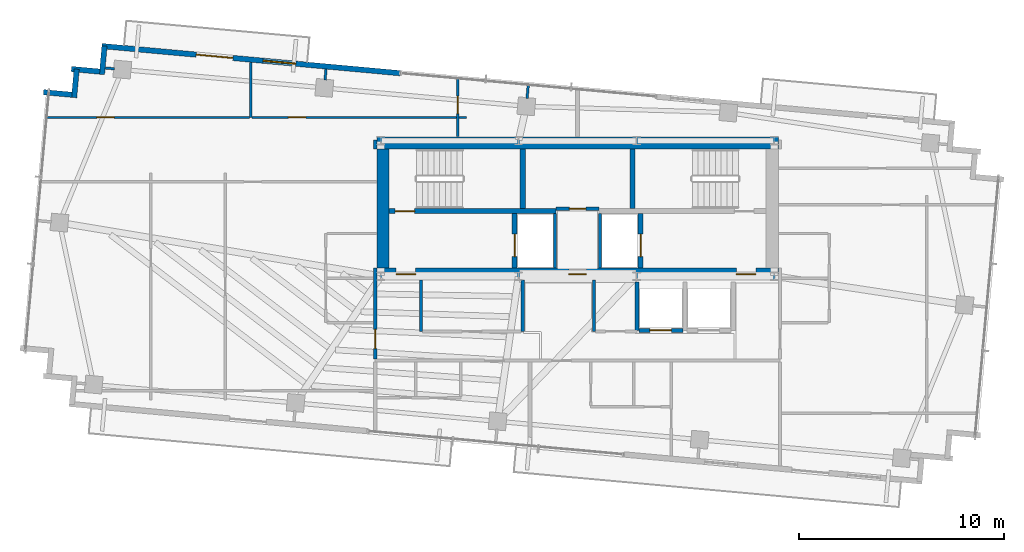
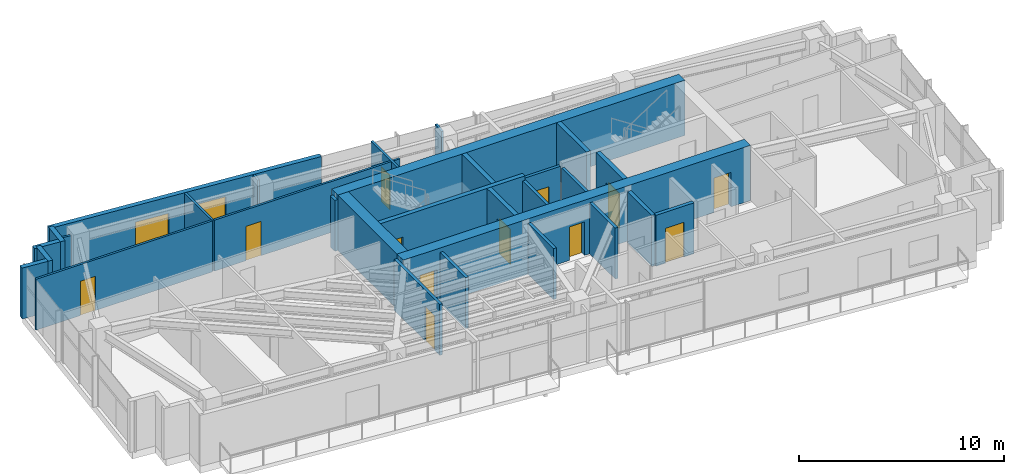
# One storey, part 17 of 22: 31 walls, 13 doors, 1 window, 14 openings.
"""IFC4 building model written with IfcOpenShell, lengths in metres."""

from ifc_helpers import new_model, si_unit, direction, frame, frame_2d, origin, place, context, subcontext, project, spatial, rectangle, extrude, source, transform, mapped, material, layer, layer_set, type_object, type_shapes, element, fill, save


model = new_model("IFC4")

# Units and contexts
model_context = context("Model", 3, precision=1e-05, world=origin(), true_north=direction((0.0, 1.0)))
body_context = subcontext(model_context, "Body", "Model", "MODEL_VIEW")
ifc_project = project(units=[si_unit("LENGTHUNIT", "METRE"), si_unit("AREAUNIT", "SQUARE_METRE"), si_unit("VOLUMEUNIT", "CUBIC_METRE"), si_unit("PLANEANGLEUNIT", "RADIAN"), si_unit("MASSUNIT", "GRAM", prefix="KILO")], contexts=[model_context])

# Site, building, storey
site_placement = place(None, origin())
site = spatial("IfcSite", under=ifc_project, at=site_placement, CompositionType="ELEMENT")
building_placement = place(site_placement, origin())
building = spatial("IfcBuilding", under=site, at=building_placement, Name="Astriad Promenade Condominiums", CompositionType="ELEMENT")
storey_placement = place(building_placement, frame((0.0, 0.0, 216.60009765625)))
storey = spatial("IfcBuildingStorey", under=building, at=storey_placement, Name="L62", CompositionType="ELEMENT", Elevation=216.60009765625)

# Wall, openings, doors
ifc_material_1 = material(Name="Concrete C50/60", Category="concrete")
ifc_layer_1 = layer(ifc_material_1, 0.60009765625)
ifc_layer_set_1 = layer_set([ifc_layer_1], Name="Concrete C50/60")
wall_type_1 = type_object("IfcWallType", Name="CW-SHEAR-600", PredefinedType="SHEAR", material=ifc_layer_set_1)
wall_1_placement = place(storey_placement, frame((26.199951171875, 17.5, 0.0), z_axis=(0.0, 0.0, 1.0), x_axis=(1.0, 0.0, 0.0)))
wall_1 = element("IfcWall", 1, at=wall_1_placement, inside=storey, type_object=wall_type_1, Name="CW-CORE-S-L62", PredefinedType="SHEAR", context=body_context, shape_type="SweptSolid", body=[
    extrude(rectangle(XDim=19.60009765625, YDim=0.60009765625, at=frame_2d((9.800048828125, 0.0))), origin(), (0.0, 0.0, 1.0), 3.2998046875),
])
opening_1_placement = place(wall_1_placement, frame((0.949951171875, 0.0, 0.0)))
opening_1 = element("IfcOpeningElement", 2, at=opening_1_placement, cuts=wall_1, Name="Opening FD90-ST-095", PredefinedType="OPENING", context=body_context, shape_type="SweptSolid", body=[
    extrude(rectangle(XDim=0.949951171875, YDim=2.06005859375, at=frame_2d((0.47509765625, 1.030029296875))), frame((0.0, 0.31005859375, 0.0), z_axis=(0.0, -1.0, 0.0), x_axis=(1.0, 0.0, 0.0)), (0.0, 0.0, 1.0), 0.6201171875),
])
opening_2_placement = place(wall_1_placement, frame((9.3798828125, 0.0, 0.0)))
opening_2 = element("IfcOpeningElement", 3, at=opening_2_placement, cuts=wall_1, Name="Opening FD60-ULOW-085", PredefinedType="OPENING", context=body_context, shape_type="SweptSolid", body=[
    extrude(rectangle(XDim=0.85009765625, YDim=2.0, at=frame_2d((0.425048828125, 1.0))), frame((0.0, 0.31005859375, 0.0), z_axis=(0.0, -1.0, 0.0), x_axis=(1.0, 0.0, 0.0)), (0.0, 0.0, 1.0), 0.6201171875),
])
opening_3_placement = place(wall_1_placement, frame((17.550048828125, 0.0, 0.0)))
opening_3 = element("IfcOpeningElement", 4, at=opening_3_placement, cuts=wall_1, Name="Opening FD90-ST-095", PredefinedType="OPENING", context=body_context, shape_type="SweptSolid", body=[
    extrude(rectangle(XDim=0.949951171875, YDim=2.06005859375, at=frame_2d((0.47509765625, 1.030029296875))), frame((0.0, 0.31005859375, 0.0), z_axis=(0.0, -1.0, 0.0), x_axis=(1.0, 0.0, 0.0)), (0.0, 0.0, 1.0), 0.6201171875),
])
ifc_material_2 = material(Name="Fire-Rated Hollow Metal Stair Door")
door_type_1 = type_object("IfcDoorType", Name="FD90-ST-095", OperationType="NOTDEFINED", PredefinedType="DOOR", material=ifc_material_2)
shared_shape_1 = source(origin(), body_context, "Body", "SweptSolid", [
    extrude(rectangle(XDim=0.949951171875, YDim=2.06005859375, at=frame_2d((0.47509765625, 1.030029296875))), frame((0.0, 0.02490234375, 0.0), z_axis=(0.0, -1.0, 0.0), x_axis=(1.0, 0.0, 0.0)), (0.0, 0.0, 1.0), 0.050048828125),
])
type_shapes(door_type_1, [shared_shape_1])
door_1_placement = place(opening_1_placement, origin())
door_1 = element("IfcDoor", 5, at=door_1_placement, inside=storey, type_object=door_type_1, Name="D-FFW-L62", OperationType="SINGLE_SWING_LEFT", OverallHeight=2.06005859375, OverallWidth=0.949951171875, PredefinedType="DOOR", context=body_context, shape_type="MappedRepresentation", body=[
    mapped(shared_shape_1, transform((0.0, 0.0, 0.0), scale=1.0)),
])
fill(opening_1, door_1)
door_2_placement = place(opening_3_placement, origin())
door_2 = element("IfcDoor", 6, at=door_2_placement, inside=storey, type_object=door_type_1, Name="D-FFE-L62", OperationType="SINGLE_SWING_RIGHT", OverallHeight=2.06005859375, OverallWidth=0.949951171875, PredefinedType="DOOR", context=body_context, shape_type="MappedRepresentation", body=[
    mapped(shared_shape_1, transform((0.0, 0.0, 0.0), scale=1.0)),
])
fill(opening_3, door_2)
ifc_material_3 = material(Name="Solid-Core Low-Headroom Fire Door")
door_type_2 = type_object("IfcDoorType", Name="FD60-ULOW-085", OperationType="NOTDEFINED", PredefinedType="DOOR", material=ifc_material_3)
shared_shape_2 = source(origin(), body_context, "Body", "SweptSolid", [
    extrude(rectangle(XDim=0.85009765625, YDim=2.0, at=frame_2d((0.425048828125, 1.0))), frame((0.0, 0.02490234375, 0.0), z_axis=(0.0, -1.0, 0.0), x_axis=(1.0, 0.0, 0.0)), (0.0, 0.0, 1.0), 0.050048828125),
])
type_shapes(door_type_2, [shared_shape_2])
door_3_placement = place(opening_2_placement, origin())
door_3 = element("IfcDoor", 7, at=door_3_placement, inside=storey, type_object=door_type_2, Name="D-CSL-L62", OperationType="SINGLE_SWING_RIGHT", OverallHeight=2.0, OverallWidth=0.85009765625, PredefinedType="DOOR", context=body_context, shape_type="MappedRepresentation", body=[
    mapped(shared_shape_2, transform((0.0, 0.0, 0.0), scale=1.0)),
])
fill(opening_2, door_3)

# Walls
wall_2_placement = place(storey_placement, frame((26.199951171875, 23.89990234375, 0.0), z_axis=(0.0, 0.0, 1.0), x_axis=(1.0, 0.0, 0.0)))
element("IfcWall", 8, at=wall_2_placement, inside=storey, type_object=wall_type_1, Name="CW-CORE-N-L62", PredefinedType="SHEAR", context=body_context, shape_type="SweptSolid", body=[
    extrude(rectangle(XDim=19.60009765625, YDim=0.60009765625, at=frame_2d((9.800048828125, 0.0))), origin(), (0.0, 0.0, 1.0), 3.2998046875),
])
wall_3_placement = place(storey_placement, frame((26.5, 17.802001953125, 0.0), z_axis=(0.0, 0.0, 1.0), x_axis=(0.0, 1.0, 0.0)))
element("IfcWall", 9, at=wall_3_placement, inside=storey, type_object=wall_type_1, Name="CW-CORE-W-L62", PredefinedType="SHEAR", context=body_context, shape_type="SweptSolid", body=[
    extrude(rectangle(XDim=5.7958984375, YDim=0.60009765625, at=frame_2d((2.89794921875, 0.0))), origin(), (0.0, 0.0, 1.0), 3.2998046875),
])

# Wall, opening, door
ifc_layer_2 = layer(ifc_material_1, 0.25)
ifc_layer_set_2 = layer_set([ifc_layer_2], Name="Concrete C50/60")
wall_type_2 = type_object("IfcWallType", Name="WALL-CORE-INT-250", PredefinedType="SOLIDWALL", material=ifc_layer_set_2)
wall_4_placement = place(storey_placement, frame((26.802001953125, 20.574951171875, 0.0), z_axis=(0.0, 0.0, 1.0), x_axis=(1.0, 0.0, 0.0)))
wall_4 = element("IfcWall", 10, at=wall_4_placement, inside=storey, type_object=wall_type_2, Name="CW-INT-H1-L62", PredefinedType="SOLIDWALL", context=body_context, shape_type="SweptSolid", body=[
    extrude(rectangle(XDim=8.14794921875, YDim=0.25, at=frame_2d((4.073974609375, 0.0))), origin(), (0.0, 0.0, 1.0), 3.2998046875),
])
opening_4_placement = place(wall_4_placement, frame((0.298095703125, 0.0, 0.0)))
opening_4 = element("IfcOpeningElement", 11, at=opening_4_placement, cuts=wall_4, Name="Opening FD90-ST-095", PredefinedType="OPENING", context=body_context, shape_type="SweptSolid", body=[
    extrude(rectangle(XDim=0.949951171875, YDim=2.06005859375, at=frame_2d((0.47509765625, 1.030029296875))), frame((0.0, 0.135009765625, 0.0), z_axis=(0.0, -1.0, 0.0), x_axis=(1.0, 0.0, 0.0)), (0.0, 0.0, 1.0), 0.27001953125),
])
door_4_placement = place(opening_4_placement, origin())
door_4 = element("IfcDoor", 12, at=door_4_placement, inside=storey, type_object=door_type_1, Name="D-ST1-L62", OperationType="SINGLE_SWING_RIGHT", OverallHeight=2.06005859375, OverallWidth=0.949951171875, PredefinedType="DOOR", context=body_context, shape_type="MappedRepresentation", body=[
    mapped(shared_shape_1, transform((0.0, 0.0, 0.0), scale=1.0)),
])
fill(opening_4, door_4)

# Walls
for number, where, z_axis, x_axis, name in (
    (13, (33.324951171875, 20.701904296875, 0.0), (0.0, 0.0, 1.0), (0.0, 1.0, 0.0), "CW-ST1-E-L62"),
    (14, (38.675048828125, 20.701904296875, 0.0), (0.0, 0.0, 1.0), (0.0, 1.0, 0.0), "CW-ST2-W-L62"),
):
    element("IfcWall", number, at=place(storey_placement, frame(where, z_axis=z_axis, x_axis=x_axis)), inside=storey, type_object=wall_type_2, Name=name, PredefinedType="SOLIDWALL", context=body_context, shape_type="SweptSolid", body=[
        extrude(rectangle(XDim=2.89599609375, YDim=0.25, at=frame_2d((1.447998046875, 0.0))), origin(), (0.0, 0.0, 1.0), 3.2998046875),
    ])

# Wall, opening, door
wall_5_placement = place(storey_placement, frame((32.925048828125, 17.802001953125, 0.0), z_axis=(0.0, 0.0, 1.0), x_axis=(0.0, 1.0, 0.0)))
wall_5 = element("IfcWall", 15, at=wall_5_placement, inside=storey, type_object=wall_type_2, Name="CW-FFL1-W-L62", PredefinedType="SOLIDWALL", context=body_context, shape_type="SweptSolid", body=[
    extrude(rectangle(XDim=2.64599609375, YDim=0.25, at=frame_2d((1.322998046875, 0.0))), origin(), (0.0, 0.0, 1.0), 3.2998046875),
])
opening_5_placement = place(wall_5_placement, frame((0.548095703125, 0.0, 0.0)))
opening_5 = element("IfcOpeningElement", 16, at=opening_5_placement, cuts=wall_5, Name="Opening LD-FFL-1122", PredefinedType="OPENING", context=body_context, shape_type="SweptSolid", body=[
    extrude(rectangle(XDim=1.10009765625, YDim=2.080078125, at=frame_2d((0.550048828125, 1.0400390625))), frame((0.0, 0.135009765625, 0.0), z_axis=(0.0, -1.0, 0.0), x_axis=(1.0, 0.0, 0.0)), (0.0, 0.0, 1.0), 0.27001953125),
])
ifc_material_4 = material(Name="Brushed Stainless Steel Fire Elevator Landing Door", Category="steel")
door_type_3 = type_object("IfcDoorType", Name="LD-FFL-1122", OperationType="NOTDEFINED", PredefinedType="DOOR", material=ifc_material_4)
shared_shape_3 = source(origin(), body_context, "Body", "SweptSolid", [
    extrude(rectangle(XDim=1.10009765625, YDim=2.080078125, at=frame_2d((0.550048828125, 1.0400390625))), frame((0.0, 0.02490234375, 0.0), z_axis=(0.0, -1.0, 0.0), x_axis=(1.0, 0.0, 0.0)), (0.0, 0.0, 1.0), 0.050048828125),
])
type_shapes(door_type_3, [shared_shape_3])
door_5_placement = place(opening_5_placement, origin())
door_5 = element("IfcDoor", 17, at=door_5_placement, inside=storey, type_object=door_type_3, Name="Elevator Landing Door FFL-1 (L62)", OperationType="SLIDING_TO_LEFT", OverallHeight=2.080078125, OverallWidth=1.10009765625, PredefinedType="DOOR", context=body_context, shape_type="MappedRepresentation", body=[
    mapped(shared_shape_3, transform((0.0, 0.0, 0.0), scale=1.0)),
])
fill(opening_5, door_5)

wall_6_placement = place(storey_placement, frame((39.074951171875, 17.802001953125, 0.0), z_axis=(0.0, 0.0, 1.0), x_axis=(0.0, 1.0, 0.0)))
wall_6 = element("IfcWall", 18, at=wall_6_placement, inside=storey, type_object=wall_type_2, Name="CW-FFL2-E-L62", PredefinedType="SOLIDWALL", context=body_context, shape_type="SweptSolid", body=[
    extrude(rectangle(XDim=2.64599609375, YDim=0.25, at=frame_2d((1.322998046875, 0.0))), origin(), (0.0, 0.0, 1.0), 3.2998046875),
])
opening_6_placement = place(wall_6_placement, frame((0.548095703125, 0.0, 0.0)))
opening_6 = element("IfcOpeningElement", 19, at=opening_6_placement, cuts=wall_6, Name="Opening LD-FFL-1122", PredefinedType="OPENING", context=body_context, shape_type="SweptSolid", body=[
    extrude(rectangle(XDim=1.10009765625, YDim=2.080078125, at=frame_2d((0.550048828125, 1.0400390625))), frame((0.0, 0.135009765625, 0.0), z_axis=(0.0, -1.0, 0.0), x_axis=(1.0, 0.0, 0.0)), (0.0, 0.0, 1.0), 0.27001953125),
])
door_6_placement = place(opening_6_placement, origin())
door_6 = element("IfcDoor", 20, at=door_6_placement, inside=storey, type_object=door_type_3, Name="Elevator Landing Door FFL-2 (L62)", OperationType="SLIDING_TO_RIGHT", OverallHeight=2.080078125, OverallWidth=1.10009765625, PredefinedType="DOOR", context=body_context, shape_type="MappedRepresentation", body=[
    mapped(shared_shape_3, transform((0.0, 0.0, 0.0), scale=1.0)),
])
fill(opening_6, door_6)

# Walls
ifc_material_5 = material(Name="Fire-Rated Gypsum Partition")
ifc_layer_3 = layer(ifc_material_5, 0.159912109375)
ifc_layer_set_3 = layer_set([ifc_layer_3], Name="Fire-Rated Gypsum Partition")
wall_type_3 = type_object("IfcWallType", Name="WALL-CORR-160", PredefinedType="PARTITIONING", material=ifc_layer_set_3)
for number, where, z_axis, x_axis, name in (
    (21, (34.89990234375, 17.802001953125, 0.0), (0.0, 0.0, 1.0), (0.0, 1.0, 0.0), "CW-FFL1-E-L62"),
    (22, (37.10009765625, 17.802001953125, 0.0), (0.0, 0.0, 1.0), (0.0, 1.0, 0.0), "CW-FFL2-W-L62"),
):
    element("IfcWall", number, at=place(storey_placement, frame(where, z_axis=z_axis, x_axis=x_axis)), inside=storey, type_object=wall_type_3, Name=name, PredefinedType="PARTITIONING", context=body_context, shape_type="SweptSolid", body=[
        extrude(rectangle(XDim=2.64599609375, YDim=0.159912109375, at=frame_2d((1.322998046875, 0.0))), origin(), (0.0, 0.0, 1.0), 3.039794921875),
    ])

# Wall, opening, door
wall_7_placement = place(storey_placement, frame((34.949951171875, 20.68994140625, 0.0), z_axis=(0.0, 0.0, 1.0), x_axis=(1.0, 0.0, 0.0)))
wall_7 = element("IfcWall", 23, at=wall_7_placement, inside=storey, type_object=wall_type_3, Name="CW-AUX-S-L62", PredefinedType="PARTITIONING", context=body_context, shape_type="SweptSolid", body=[
    extrude(rectangle(XDim=2.10009765625, YDim=0.159912109375, at=frame_2d((1.050048828125, 0.0))), origin(), (0.0, 0.0, 1.0), 3.039794921875),
])
opening_7_placement = place(wall_7_placement, frame((0.64990234375, 0.0, 0.0)))
opening_7 = element("IfcOpeningElement", 24, at=opening_7_placement, cuts=wall_7, Name="Opening FD60-SV-080", PredefinedType="OPENING", context=body_context, shape_type="SweptSolid", body=[
    extrude(rectangle(XDim=0.800048828125, YDim=2.050048828125, at=frame_2d((0.39990234375, 1.02490234375))), frame((0.0, 0.08984375, 0.0), z_axis=(0.0, -1.0, 0.0), x_axis=(1.0, 0.0, 0.0)), (0.0, 0.0, 1.0), 0.179931640625),
])
ifc_material_6 = material(Name="Fire-Rated Riser Closet Door")
door_type_4 = type_object("IfcDoorType", Name="FD60-SV-080", OperationType="NOTDEFINED", PredefinedType="DOOR", material=ifc_material_6)
shared_shape_4 = source(origin(), body_context, "Body", "SweptSolid", [
    extrude(rectangle(XDim=0.800048828125, YDim=2.050048828125, at=frame_2d((0.39990234375, 1.02490234375))), frame((0.0, 0.02490234375, 0.0), z_axis=(0.0, -1.0, 0.0), x_axis=(1.0, 0.0, 0.0)), (0.0, 0.0, 1.0), 0.050048828125),
])
type_shapes(door_type_4, [shared_shape_4])
door_7_placement = place(opening_7_placement, origin())
door_7 = element("IfcDoor", 25, at=door_7_placement, inside=storey, type_object=door_type_4, Name="D-AUX1-L62", OperationType="SINGLE_SWING_RIGHT", OverallHeight=2.050048828125, OverallWidth=0.800048828125, PredefinedType="DOOR", context=body_context, shape_type="MappedRepresentation", body=[
    mapped(shared_shape_4, transform((0.0, 0.0, 0.0), scale=1.0)),
])
fill(opening_7, door_7)

wall_8_placement = place(storey_placement, frame((26.1201171875, 13.362060546875, 0.0), z_axis=(0.0, 0.0, 1.0), x_axis=(0.0, 1.0, 0.0)))
wall_8 = element("IfcWall", 26, at=wall_8_placement, inside=storey, type_object=wall_type_3, Name="PT-COR-W-L62-S2", PredefinedType="PARTITIONING", context=body_context, shape_type="SweptSolid", body=[
    extrude(rectangle(XDim=4.43994140625, YDim=0.159912109375, at=frame_2d((2.219970703125, 0.0))), origin(), (0.0, 0.0, 1.0), 3.039794921875),
])
opening_8_placement = place(wall_8_placement, frame((0.492919921875, 0.0, 0.0)))
opening_8 = element("IfcOpeningElement", 27, at=opening_8_placement, cuts=wall_8, Name="Opening FD60-APT-095", PredefinedType="OPENING", context=body_context, shape_type="SweptSolid", body=[
    extrude(rectangle(XDim=0.949951171875, YDim=2.06005859375, at=frame_2d((0.47509765625, 1.030029296875))), frame((0.0, 0.08984375, 0.0), z_axis=(0.0, -1.0, 0.0), x_axis=(1.0, 0.0, 0.0)), (0.0, 0.0, 1.0), 0.179931640625),
])
ifc_material_7 = material(Name="Solid-Core Acoustic Timber Residence Entry Door", Category="wood")
door_type_5 = type_object("IfcDoorType", Name="FD60-APT-095", OperationType="NOTDEFINED", PredefinedType="DOOR", material=ifc_material_7)
shared_shape_5 = source(origin(), body_context, "Body", "SweptSolid", [
    extrude(rectangle(XDim=0.949951171875, YDim=2.06005859375, at=frame_2d((0.47509765625, 1.030029296875))), frame((0.0, 0.02490234375, 0.0), z_axis=(0.0, -1.0, 0.0), x_axis=(1.0, 0.0, 0.0)), (0.0, 0.0, 1.0), 0.050048828125),
])
type_shapes(door_type_5, [shared_shape_5])
door_8_placement = place(opening_8_placement, origin())
door_8 = element("IfcDoor", 28, at=door_8_placement, inside=storey, type_object=door_type_5, Name="D-ENT-L62-W1", OperationType="SINGLE_SWING_RIGHT", OverallHeight=2.06005859375, OverallWidth=0.949951171875, PredefinedType="DOOR", context=body_context, shape_type="MappedRepresentation", body=[
    mapped(shared_shape_5, transform((0.0, 0.0, 0.0), scale=1.0)),
])
fill(opening_8, door_8)

# Walls
wall_9_placement = place(storey_placement, frame((26.1201171875, 23.597900390625, 0.0), z_axis=(0.0, 0.0, 1.0), x_axis=(0.0, 1.0, 0.0)))
element("IfcWall", 29, at=wall_9_placement, inside=storey, type_object=wall_type_3, Name="PT-COR-W-L62-S3", PredefinedType="PARTITIONING", context=body_context, shape_type="SweptSolid", body=[
    extrude(rectangle(XDim=0.4521484375, YDim=0.159912109375, at=frame_2d((0.22607421875, 0.0))), origin(), (0.0, 0.0, 1.0), 3.039794921875),
])
for number, where, z_axis, x_axis, name in (
    (30, (28.360107421875, 14.699951171875, 0.0), (0.0, 0.0, 1.0), (0.0, 1.0, 0.0), "PT-Z3REC-W-L62"),
    (31, (33.320068359375, 14.699951171875, 0.0), (0.0, 0.0, 1.0), (0.0, 1.0, 0.0), "PT-Z3REC-E-L62"),
    (32, (36.800048828125, 14.699951171875, 0.0), (0.0, 0.0, 1.0), (0.0, 1.0, 0.0), "PT-Z3R2-W-L62"),
):
    element("IfcWall", number, at=place(storey_placement, frame(where, z_axis=z_axis, x_axis=x_axis)), inside=storey, type_object=wall_type_3, Name=name, PredefinedType="PARTITIONING", context=body_context, shape_type="SweptSolid", body=[
        extrude(rectangle(XDim=2.498046875, YDim=0.159912109375, at=frame_2d((1.2490234375, 0.0))), origin(), (0.0, 0.0, 1.0), 3.039794921875),
    ])
ifc_material_8 = material(Name="Precast concrete C50/60", Category="concrete")
ifc_layer_4 = layer(ifc_material_8, 0.260009765625)
ifc_layer_set_4 = layer_set([ifc_layer_4], Name="Precast concrete C50/60")
wall_type_4 = type_object("IfcWallType", Name="WALL-EXT-TWR-260", PredefinedType="STANDARD", material=ifc_layer_set_4)
for number, where, z_axis, x_axis, name in (
    (33, (9.93505859375, 26.376708984375, 0.0), (0.0, 0.0, 1.0), (0.995881721538, -0.090661991521, 0.0), "W-SER-L62-04"),
    (34, (11.427001953125, 26.110595703125, 0.0), (0.0, 0.0, 1.0), (0.090835571917, 0.995865904063, 0.0), "W-SER-L62-05"),
):
    element("IfcWall", number, at=place(storey_placement, frame(where, z_axis=z_axis, x_axis=x_axis)), inside=storey, type_object=wall_type_4, Name=name, PredefinedType="STANDARD", context=body_context, shape_type="SweptSolid", body=[
        extrude(rectangle(XDim=1.39501953125, YDim=0.260009765625, at=frame_2d((0.697509765625, 0.0))), origin(), (0.0, 0.0, 1.0), 3.039794921875),
    ])
wall_10_placement = place(storey_placement, frame((11.293212890625, 27.50830078125, 0.0), z_axis=(0.0, 0.0, 1.0), x_axis=(0.995883159782, -0.090646191665, 0.0)))
element("IfcWall", 35, at=wall_10_placement, inside=storey, type_object=wall_type_4, Name="W-SER-L62-06", PredefinedType="STANDARD", context=body_context, shape_type="SweptSolid", body=[
    extrude(rectangle(XDim=1.395263671875, YDim=0.260009765625, at=frame_2d((0.69775390625, 0.0))), origin(), (0.0, 0.0, 1.0), 3.039794921875),
])
wall_11_placement = place(storey_placement, frame((12.785400390625, 27.241943359375, 0.0), z_axis=(0.0, 0.0, 1.0), x_axis=(0.090472632758, 0.995898942023, 0.0)))
element("IfcWall", 36, at=wall_11_placement, inside=storey, type_object=wall_type_4, Name="W-SER-L62-07", PredefinedType="STANDARD", context=body_context, shape_type="SweptSolid", body=[
    extrude(rectangle(XDim=1.39501953125, YDim=0.260009765625, at=frame_2d((0.697509765625, 0.0))), origin(), (0.0, 0.0, 1.0), 3.039794921875),
])

# Wall, openings, door, window
wall_12_placement = place(storey_placement, frame((12.78076171875, 28.628173828125, 0.0), z_axis=(0.0, 0.0, 1.0), x_axis=(0.995884584572, -0.090630536861, 0.0)))
wall_12 = element("IfcWall", 37, at=wall_12_placement, inside=storey, type_object=wall_type_4, Name="W-EXT-L62-N1", PredefinedType="STANDARD", context=body_context, shape_type="SweptSolid", body=[
    extrude(rectangle(XDim=14.630126953125, YDim=0.260009765625, at=frame_2d((7.31494140625, 0.0))), origin(), (0.0, 0.0, 1.0), 3.039794921875),
])
opening_9_placement = place(wall_12_placement, frame((4.625, 0.0, 0.0)))
opening_9 = element("IfcOpeningElement", 38, at=opening_9_placement, cuts=wall_12, Name="Opening BD-1822-SLD", PredefinedType="OPENING", context=body_context, shape_type="SweptSolid", body=[
    extrude(rectangle(XDim=1.800048828125, YDim=2.06005859375, at=frame_2d((0.89990234375, 1.030029296875))), frame((0.0, 0.139892578125, 0.0), z_axis=(0.0, -1.0, 0.0), x_axis=(1.0, 0.0, 0.0)), (0.0, 0.0, 1.0), 0.280029296875),
])
opening_10_placement = place(wall_12_placement, frame((7.89990234375, 0.0, 0.64990234375)))
opening_10 = element("IfcOpeningElement", 39, at=opening_10_placement, cuts=wall_12, Name="Opening WIN-TWR-1620", PredefinedType="OPENING", context=body_context, shape_type="SweptSolid", body=[
    extrude(rectangle(XDim=1.60009765625, YDim=1.5, at=frame_2d((0.800048828125, 0.75))), frame((0.0, 0.139892578125, 0.0), z_axis=(0.0, -1.0, 0.0), x_axis=(1.0, 0.0, 0.0)), (0.0, 0.0, 1.0), 0.280029296875),
])
ifc_material_9 = material(Name="Thermally Broken Aluminium Sliding Balcony Door", Category="aluminium")
door_type_6 = type_object("IfcDoorType", Name="BD-1822-SLD", OperationType="NOTDEFINED", PredefinedType="DOOR", material=ifc_material_9)
shared_shape_6 = source(origin(), body_context, "Body", "SweptSolid", [
    extrude(rectangle(XDim=1.800048828125, YDim=2.06005859375, at=frame_2d((0.89990234375, 1.030029296875))), frame((0.0, 0.02490234375, 0.0), z_axis=(0.0, -1.0, 0.0), x_axis=(1.0, 0.0, 0.0)), (0.0, 0.0, 1.0), 0.050048828125),
])
type_shapes(door_type_6, [shared_shape_6])
door_9_placement = place(opening_9_placement, origin())
door_9 = element("IfcDoor", 40, at=door_9_placement, inside=storey, type_object=door_type_6, Name="BD-L62-NW", OperationType="SLIDING_TO_LEFT", OverallHeight=2.06005859375, OverallWidth=1.800048828125, PredefinedType="DOOR", context=body_context, shape_type="MappedRepresentation", body=[
    mapped(shared_shape_6, transform((0.0, 0.0, 0.0), scale=1.0)),
])
fill(opening_9, door_9)
ifc_material_10 = material(Name="Dark Tinted Triple-Glazed Aluminium Window", Category="aluminium")
window_type = type_object("IfcWindowType", Name="WIN-TWR-1620", PartitioningType="SINGLE_PANEL", PredefinedType="WINDOW", material=ifc_material_10)
shared_shape_7 = source(origin(), body_context, "Body", "SweptSolid", [
    extrude(rectangle(XDim=1.60009765625, YDim=1.5, at=frame_2d((0.800048828125, 0.75))), frame((0.0, 0.030029296875, 0.0), z_axis=(0.0, -1.0, 0.0), x_axis=(1.0, 0.0, 0.0)), (0.0, 0.0, 1.0), 0.06005859375),
])
type_shapes(window_type, [shared_shape_7])
window_placement = place(opening_10_placement, origin())
window = element("IfcWindow", 41, at=window_placement, inside=storey, type_object=window_type, Name="WIN-L62-NW", OverallHeight=1.5, OverallWidth=1.60009765625, PartitioningType="SINGLE_PANEL", PredefinedType="WINDOW", context=body_context, shape_type="MappedRepresentation", body=[
    mapped(shared_shape_7, transform((0.0, 0.0, 0.0), scale=1.0)),
])
fill(opening_10, window)

# Wall, opening, door
ifc_material_11 = material(Name="Acoustic Metal-Stud Gypsum Partition")
ifc_layer_5 = layer(ifc_material_11, 0.1201171875)
ifc_layer_set_5 = layer_set([ifc_layer_5], Name="Acoustic Metal-Stud Gypsum Partition")
wall_type_5 = type_object("IfcWallType", Name="WALL-PART-120", PredefinedType="PARTITIONING", material=ifc_layer_set_5)
wall_13_placement = place(storey_placement, frame((30.14990234375, 24.201904296875, 0.0), z_axis=(0.0, 0.0, 1.0), x_axis=(0.0, 1.0, 0.0)))
wall_13 = element("IfcWall", 42, at=wall_13_placement, inside=storey, type_object=wall_type_5, Name="PT-L62-W1-NC", PredefinedType="PARTITIONING", context=body_context, shape_type="SweptSolid", body=[
    extrude(rectangle(XDim=2.895751953125, YDim=0.1201171875, at=frame_2d((1.44775390625, 0.0))), origin(), (0.0, 0.0, 1.0), 3.039794921875),
])
opening_11_placement = place(wall_13_placement, frame((1.1279296875, 0.0, 0.0)))
opening_11 = element("IfcOpeningElement", 43, at=opening_11_placement, cuts=wall_13, Name="Opening D-INT-085", PredefinedType="OPENING", context=body_context, shape_type="SweptSolid", body=[
    extrude(rectangle(XDim=0.85009765625, YDim=2.050048828125, at=frame_2d((0.425048828125, 1.02490234375))), frame((0.0, 0.070068359375, 0.0), z_axis=(0.0, -1.0, 0.0), x_axis=(1.0, 0.0, 0.0)), (0.0, 0.0, 1.0), 0.14013671875),
])
ifc_material_12 = material(Name="Painted Solid-Core Timber Room Door", Category="wood")
door_type_7 = type_object("IfcDoorType", Name="D-INT-085", OperationType="NOTDEFINED", PredefinedType="DOOR", material=ifc_material_12)
shared_shape_8 = source(origin(), body_context, "Body", "SweptSolid", [
    extrude(rectangle(XDim=0.85009765625, YDim=2.050048828125, at=frame_2d((0.425048828125, 1.02490234375))), frame((0.0, 0.02490234375, 0.0), z_axis=(0.0, -1.0, 0.0), x_axis=(1.0, 0.0, 0.0)), (0.0, 0.0, 1.0), 0.050048828125),
])
type_shapes(door_type_7, [shared_shape_8])
door_10_placement = place(opening_11_placement, origin())
door_10 = element("IfcDoor", 44, at=door_10_placement, inside=storey, type_object=door_type_7, Name="D-NC-L62-W1", OperationType="SINGLE_SWING_LEFT", OverallHeight=2.050048828125, OverallWidth=0.85009765625, PredefinedType="DOOR", context=body_context, shape_type="MappedRepresentation", body=[
    mapped(shared_shape_8, transform((0.0, 0.0, 0.0), scale=1.0)),
])
fill(opening_11, door_10)

# Wall
wall_14_placement = place(storey_placement, frame((20.044921875, 25.14208984375, 0.0), z_axis=(0.0, 0.0, 1.0), x_axis=(0.0, 1.0, 0.0)))
element("IfcWall", 45, at=wall_14_placement, inside=storey, type_object=wall_type_5, Name="PT-L62-W1-B1M", PredefinedType="PARTITIONING", context=body_context, shape_type="SweptSolid", body=[
    extrude(rectangle(XDim=2.6923828125, YDim=0.1201171875, at=frame_2d((1.34619140625, 0.0))), origin(), (0.0, 0.0, 1.0), 3.039794921875),
])

# Wall, opening, door
wall_15_placement = place(storey_placement, frame((10.03369140625, 25.14208984375, 0.0), z_axis=(0.0, 0.0, 1.0), x_axis=(1.0, 0.0, 0.0)))
wall_15 = element("IfcWall", 46, at=wall_15_placement, inside=storey, type_object=wall_type_5, Name="PT-L62-W1-B1", PredefinedType="PARTITIONING", context=body_context, shape_type="SweptSolid", body=[
    extrude(rectangle(XDim=9.94921875, YDim=0.1201171875, at=frame_2d((4.974609375, 0.0))), origin(), (0.0, 0.0, 1.0), 3.039794921875),
])
opening_12_placement = place(wall_15_placement, frame((2.5, 0.0, 0.0)))
opening_12 = element("IfcOpeningElement", 47, at=opening_12_placement, cuts=wall_15, Name="Opening D-INT-085", PredefinedType="OPENING", context=body_context, shape_type="SweptSolid", body=[
    extrude(rectangle(XDim=0.85009765625, YDim=2.050048828125, at=frame_2d((0.425048828125, 1.02490234375))), frame((0.0, 0.070068359375, 0.0), z_axis=(0.0, -1.0, 0.0), x_axis=(1.0, 0.0, 0.0)), (0.0, 0.0, 1.0), 0.14013671875),
])
door_11_placement = place(opening_12_placement, origin())
door_11 = element("IfcDoor", 48, at=door_11_placement, inside=storey, type_object=door_type_7, Name="D-BD1-L62-W1", OperationType="SINGLE_SWING_RIGHT", OverallHeight=2.050048828125, OverallWidth=0.85009765625, PredefinedType="DOOR", context=body_context, shape_type="MappedRepresentation", body=[
    mapped(shared_shape_8, transform((0.0, 0.0, 0.0), scale=1.0)),
])
fill(opening_12, door_11)

wall_16_placement = place(storey_placement, frame((20.10693359375, 25.14208984375, 0.0), z_axis=(0.0, 0.0, 1.0), x_axis=(1.0, 0.0, 0.0)))
wall_16 = element("IfcWall", 49, at=wall_16_placement, inside=storey, type_object=wall_type_5, Name="PT-L62-W1-B1-S2", PredefinedType="PARTITIONING", context=body_context, shape_type="SweptSolid", body=[
    extrude(rectangle(XDim=9.98095703125, YDim=0.1201171875, at=frame_2d((4.990478515625, 0.0))), origin(), (0.0, 0.0, 1.0), 3.039794921875),
])
opening_13_placement = place(wall_16_placement, frame((1.780029296875, 0.0, 0.0)))
opening_13 = element("IfcOpeningElement", 50, at=opening_13_placement, cuts=wall_16, Name="Opening D-INT-085", PredefinedType="OPENING", context=body_context, shape_type="SweptSolid", body=[
    extrude(rectangle(XDim=0.85009765625, YDim=2.050048828125, at=frame_2d((0.425048828125, 1.02490234375))), frame((0.0, 0.070068359375, 0.0), z_axis=(0.0, -1.0, 0.0), x_axis=(1.0, 0.0, 0.0)), (0.0, 0.0, 1.0), 0.14013671875),
])
door_12_placement = place(opening_13_placement, origin())
door_12 = element("IfcDoor", 51, at=door_12_placement, inside=storey, type_object=door_type_7, Name="D-BD1B-L62-W1", OperationType="SINGLE_SWING_LEFT", OverallHeight=2.050048828125, OverallWidth=0.85009765625, PredefinedType="DOOR", context=body_context, shape_type="MappedRepresentation", body=[
    mapped(shared_shape_8, transform((0.0, 0.0, 0.0), scale=1.0)),
])
fill(opening_13, door_12)

# Walls
wall_17_placement = place(storey_placement, frame((30.2119140625, 25.14208984375, 0.0), z_axis=(0.0, 0.0, 1.0), x_axis=(1.0, 0.0, 0.0)))
element("IfcWall", 52, at=wall_17_placement, inside=storey, type_object=wall_type_5, Name="PT-L62-W1-B1-S3", PredefinedType="PARTITIONING", context=body_context, shape_type="SweptSolid", body=[
    extrude(rectangle(XDim=0.358154296875, YDim=0.1201171875, at=frame_2d((0.17919921875, 0.0))), origin(), (0.0, 0.0, 1.0), 3.039794921875),
])
wall_18_placement = place(storey_placement, frame((13.40283203125, 27.51708984375, 0.0), z_axis=(0.0, 0.0, 1.0), x_axis=(-0.995884462012, 0.090631883588, 0.0)))
element("IfcWall", 53, at=wall_18_placement, inside=storey, type_object=wall_type_5, Name="PT-PIL-L62-PC06-13", PredefinedType="PARTITIONING", context=body_context, shape_type="SweptSolid", body=[
    extrude(rectangle(XDim=0.4580078125, YDim=0.1201171875, at=frame_2d((0.22900390625, 0.0))), origin(), (0.0, 0.0, 1.0), 3.039794921875),
])
wall_19_placement = place(storey_placement, frame((23.6748046875, 26.9638671875, 0.0), z_axis=(0.0, 0.0, 1.0), x_axis=(0.090740281653, 0.995874591144, 0.0)))
element("IfcWall", 54, at=wall_19_placement, inside=storey, type_object=wall_type_5, Name="PT-PIL-L62-PC07-14", PredefinedType="PARTITIONING", context=body_context, shape_type="SweptSolid", body=[
    extrude(rectangle(XDim=0.5380859375, YDim=0.1201171875, at=frame_2d((0.26904296875, 0.0))), origin(), (0.0, 0.0, 1.0), 3.039794921875),
])
wall_20_placement = place(storey_placement, frame((33.5341796875, 26.066650390625, 0.0), z_axis=(0.0, 0.0, 1.0), x_axis=(0.090535746043, 0.995893206468, 0.0)))
element("IfcWall", 55, at=wall_20_placement, inside=storey, type_object=wall_type_5, Name="PT-PIL-L62-PC08-15", PredefinedType="PARTITIONING", context=body_context, shape_type="SweptSolid", body=[
    extrude(rectangle(XDim=0.719970703125, YDim=0.1201171875, at=frame_2d((0.35986328125, 0.0))), origin(), (0.0, 0.0, 1.0), 3.039794921875),
])
ifc_material_13 = material(Name="Gypsum Shaftliner Assembly")
ifc_layer_6 = layer(ifc_material_13, 0.199951171875)
ifc_layer_set_6 = layer_set([ifc_layer_6], Name="Gypsum Shaftliner Assembly")
wall_type_6 = type_object("IfcWallType", Name="WALL-SHAFT-200", PredefinedType="PARTITIONING", material=ifc_layer_set_6)
wall_21_placement = place(storey_placement, frame((38.89990234375, 14.75, 0.0), z_axis=(0.0, 0.0, 1.0), x_axis=(0.0, 1.0, 0.0)))
element("IfcWall", 56, at=wall_21_placement, inside=storey, type_object=wall_type_6, Name="PL-MH-DIV-L62", PredefinedType="PARTITIONING", context=body_context, shape_type="SweptSolid", body=[
    extrude(rectangle(XDim=2.35009765625, YDim=0.199951171875, at=frame_2d((1.175048828125, 0.0))), origin(), (0.0, 0.0, 1.0), 3.039794921875),
])

# Wall, opening, door
wall_22_placement = place(storey_placement, frame((39.001953125, 14.75, 0.0), z_axis=(0.0, 0.0, 1.0), x_axis=(1.0, 0.0, 0.0)))
wall_22 = element("IfcWall", 57, at=wall_22_placement, inside=storey, type_object=wall_type_6, Name="PL-H-FRT-L62", PredefinedType="PARTITIONING", context=body_context, shape_type="SweptSolid", body=[
    extrude(rectangle(XDim=2.14599609375, YDim=0.199951171875, at=frame_2d((1.072998046875, 0.0))), origin(), (0.0, 0.0, 1.0), 3.039794921875),
])
opening_14_placement = place(wall_22_placement, frame((0.52294921875, 0.0, 0.0)))
opening_14 = element("IfcOpeningElement", 58, at=opening_14_placement, cuts=wall_22, Name="Opening LD-PL-10522", PredefinedType="OPENING", context=body_context, shape_type="SweptSolid", body=[
    extrude(rectangle(XDim=1.050048828125, YDim=2.080078125, at=frame_2d((0.52490234375, 1.0400390625))), frame((0.0, 0.10986328125, 0.0), z_axis=(0.0, -1.0, 0.0), x_axis=(1.0, 0.0, 0.0)), (0.0, 0.0, 1.0), 0.219970703125),
])
ifc_material_14 = material(Name="Brushed Bronze Passenger Elevator Landing Door")
door_type_8 = type_object("IfcDoorType", Name="LD-PL-10522", OperationType="NOTDEFINED", PredefinedType="DOOR", material=ifc_material_14)
shared_shape_9 = source(origin(), body_context, "Body", "SweptSolid", [
    extrude(rectangle(XDim=1.050048828125, YDim=2.080078125, at=frame_2d((0.52490234375, 1.0400390625))), frame((0.0, 0.02490234375, 0.0), z_axis=(0.0, -1.0, 0.0), x_axis=(1.0, 0.0, 0.0)), (0.0, 0.0, 1.0), 0.050048828125),
])
type_shapes(door_type_8, [shared_shape_9])
door_13_placement = place(opening_14_placement, origin())
door_13 = element("IfcDoor", 59, at=door_13_placement, inside=storey, type_object=door_type_8, Name="Elevator Landing Door PL-H1 (L62)", OperationType="SLIDING_TO_LEFT", OverallHeight=2.080078125, OverallWidth=1.050048828125, PredefinedType="DOOR", context=body_context, shape_type="MappedRepresentation", body=[
    mapped(shared_shape_9, transform((0.0, 0.0, 0.0), scale=1.0)),
])
fill(opening_14, door_13)

save(model, "model.ifc")
